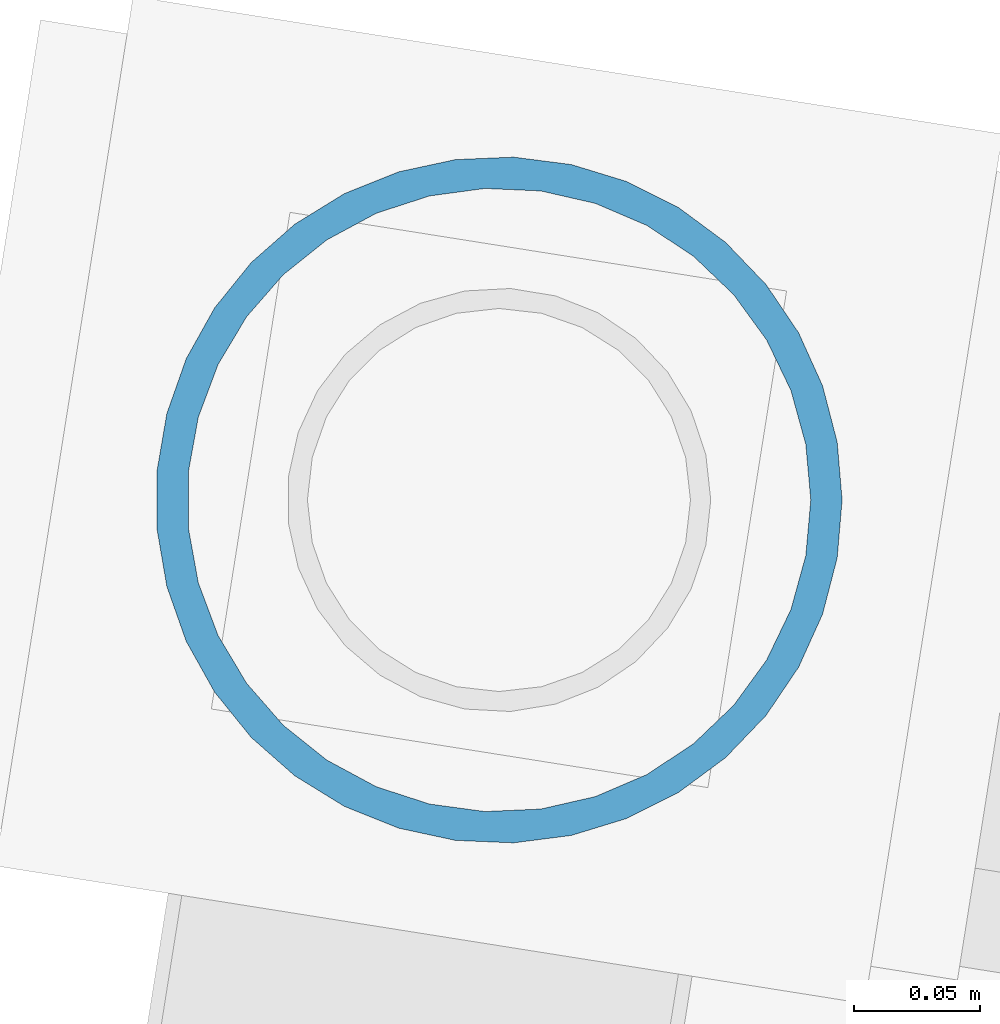
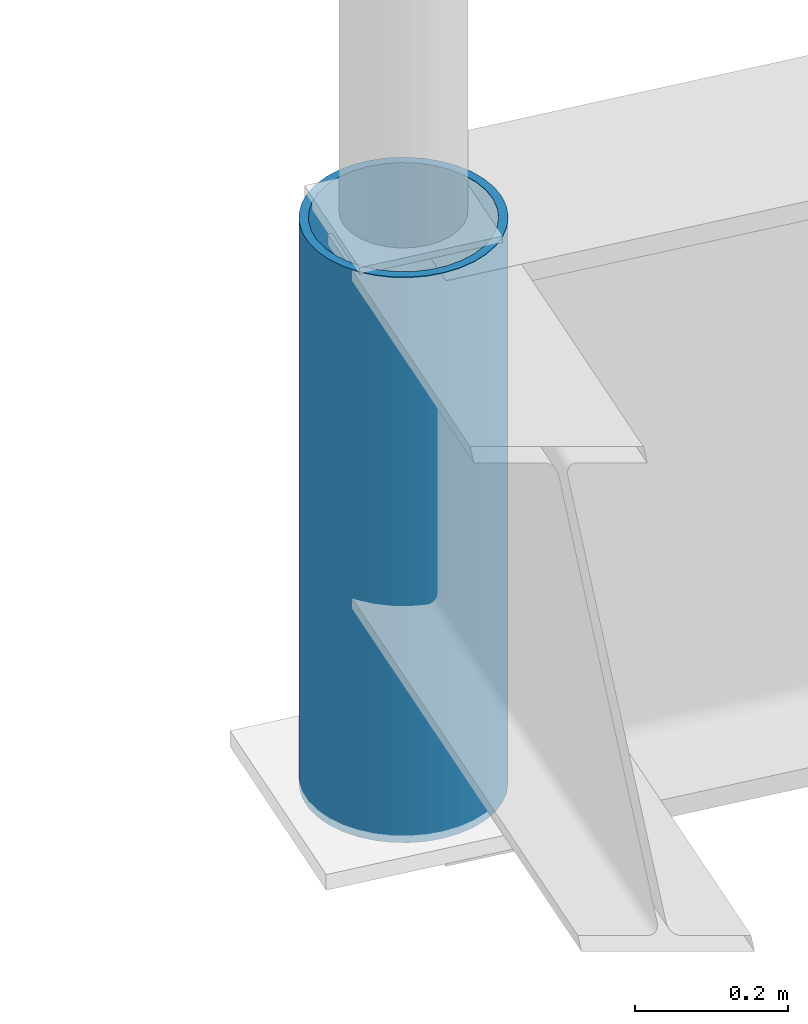
# One storey, part 9 of 65: 1 column.
"""IFC4 building model written with IfcOpenShell, lengths in metres."""

from ifc_helpers import new_model, si_unit, direction, frame, origin, origin_2d, place, context, subcontext, project, spatial, hollow_circle, extrude, material, material_profile, profile_set, type_object, element, save


model = new_model("IFC4")

# Units and contexts
model_context = context("Model", 3, precision=1e-05, world=origin(), true_north=direction((0.0, 1.0)))
body_context = subcontext(model_context, "Body", "Model", "MODEL_VIEW")
ifc_project = project(units=[si_unit("LENGTHUNIT", "METRE"), si_unit("AREAUNIT", "SQUARE_METRE"), si_unit("VOLUMEUNIT", "CUBIC_METRE"), si_unit("PLANEANGLEUNIT", "RADIAN"), si_unit("MASSUNIT", "GRAM", prefix="KILO")], contexts=[model_context])

# Site, building, storey
site_placement = place(None, origin())
site = spatial("IfcSite", under=ifc_project, at=site_placement, CompositionType="ELEMENT")
building_placement = place(site_placement, origin())
building = spatial("IfcBuilding", under=site, at=building_placement, Name="Cinderway Yard Community Centre", CompositionType="ELEMENT")
storey_placement = place(building_placement, frame((0.0, 0.0, 24.300048828125)))
storey = spatial("IfcBuildingStorey", under=building, at=storey_placement, Name="RF", CompositionType="ELEMENT", Elevation=24.300048828125)

# Column
ifc_material = material(Name="Steel S355", Category="steel")
ifc_material_profile = material_profile(ifc_material, hollow_circle(Radius=0.136474609375, WallThickness=0.012451171875, at=origin_2d()), Name="Steel S355")
ifc_profile_set = profile_set([ifc_material_profile], Name="Steel S355")
column_type = type_object("IfcColumnType", Name="STR-POST-CHS273", PredefinedType="PILASTER", material=ifc_profile_set)
column_placement = place(storey_placement, frame((124.383056640625, 78.298095703125, -11.400146484375), z_axis=(0.0, 0.0, 1.0), x_axis=(1.0, 0.0, 0.0)))
element("IfcColumn", 1, at=column_placement, inside=storey, type_object=column_type, Name="Sports Hall roof post W07", PredefinedType="PILASTER", context=body_context, shape_type="SweptSolid", body=[
    extrude(hollow_circle(Radius=0.136474609375, WallThickness=0.012451171875, at=origin_2d()), origin(), (0.0, 0.0, 1.0), 0.900146484375),
])

save(model, "model.ifc")
